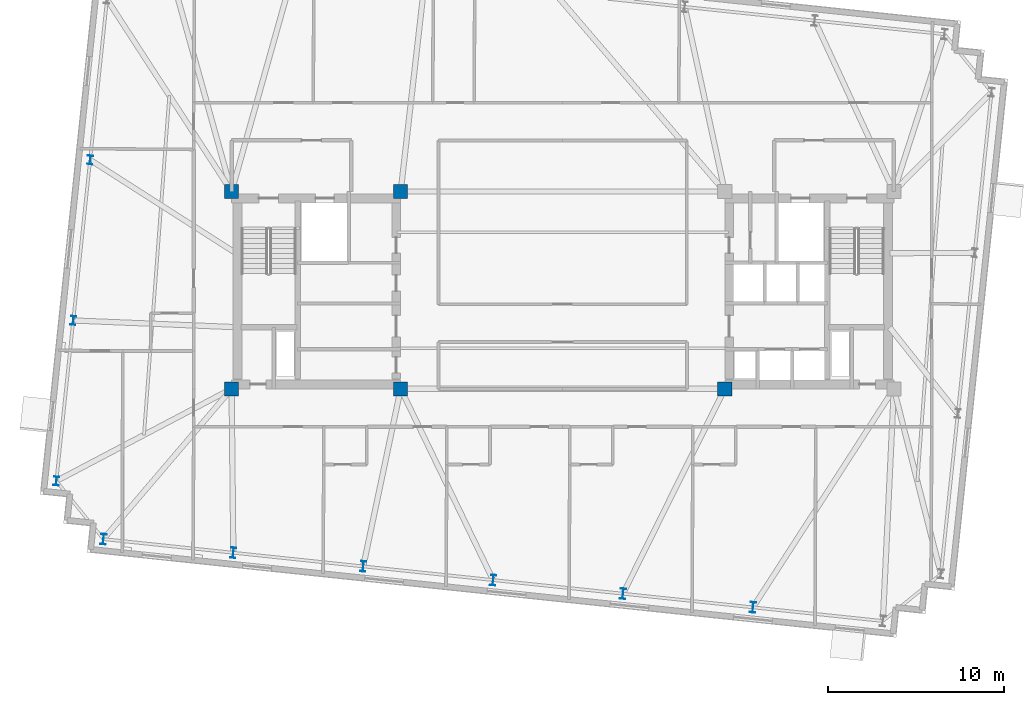
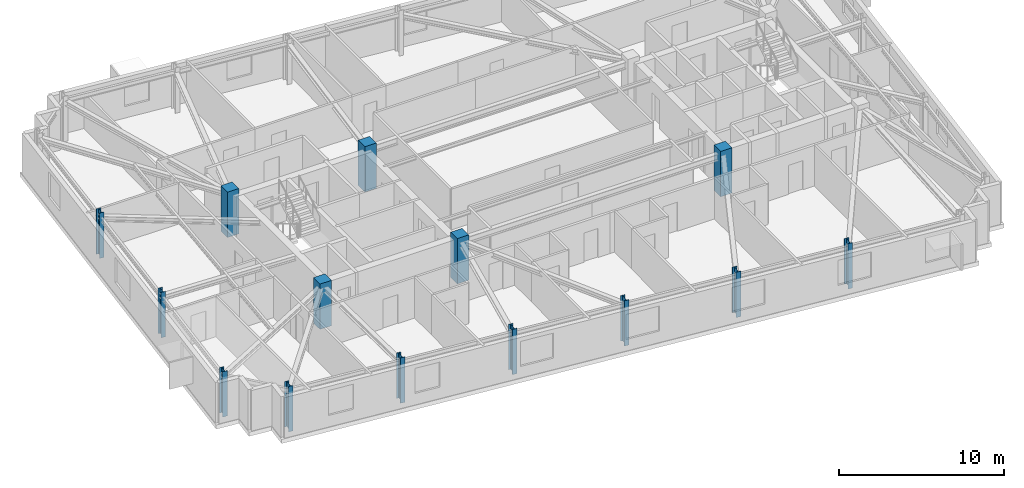
# One storey, part 1 of 11: 14 columns.
"""IFC4 building model written with IfcOpenShell, lengths in metres."""

import ifcopenshell
import ifcopenshell.guid

model = None  # the IFC model being written
_history = None  # IfcOwnerHistory: only IFC2X3 demands one
_inside = {}  # id of a spatial element -> (the spatial element, [elements in it])
_under = {}  # id of a project, library or spatial element -> (it, [spatial elements below it])
_declared = {}  # id of a project -> (the project, [libraries it declares])
_typed = {}  # id of a type object -> (the type object, [elements of that type])
_made_of = {}  # id of a material, layer set ... -> (it, [elements and type objects made of it])


def new_model(schema):
    """Start an empty IFC model of exactly this schema.

    Asked for "IFC4X3", IfcOpenShell would pick the latest addendum, in which some entities
    have other attributes; the version numbers below select the first issue.
    IFC2X3 requires an IfcOwnerHistory on every rooted entity: one is made here for all.
    """
    global model, _history
    if schema == "IFC4X3":
        model = ifcopenshell.file(schema_version=(4, 3, 0, 0))
    else:
        model = ifcopenshell.file(schema=schema)
    _inside.clear()
    _under.clear()
    _declared.clear()
    _typed.clear()
    _made_of.clear()
    _history = None
    if model.schema == "IFC2X3":
        org = make("IfcOrganization", Name="unknown")
        user = make(
            "IfcPersonAndOrganization",
            ThePerson=make("IfcPerson", FamilyName="unknown"),
            TheOrganization=org,
        )
        app = make(
            "IfcApplication",
            ApplicationDeveloper=org,
            Version="unknown",
            ApplicationFullName="unknown",
            ApplicationIdentifier="unknown",
        )
        _history = make(
            "IfcOwnerHistory",
            OwningUser=user,
            OwningApplication=app,
            ChangeAction="ADDED",
            CreationDate=0,
        )
    return model


def make(cls, **values):
    """One entity of the class cls with the attributes given. An attribute that is None is left unset."""
    return model.create_entity(
        cls, **{name: value for name, value in values.items() if value is not None}
    )


def rooted(cls, **values):
    """An entity with a GlobalId (a new one), such as an element, a storey or a relation."""
    return make(cls, GlobalId=ifcopenshell.guid.new(), OwnerHistory=_history, **values)


def si_unit(unit_type, name, prefix=None):
    """IfcSIUnit, for example si_unit("LENGTHUNIT", "METRE", prefix="MILLI")."""
    return make("IfcSIUnit", UnitType=unit_type, Prefix=prefix, Name=name)


def assignment(units):
    """IfcUnitAssignment: the units of a project."""
    return None if units is None else make("IfcUnitAssignment", Units=units)


def point(xyz):
    """IfcCartesianPoint."""
    return None if xyz is None else make("IfcCartesianPoint", Coordinates=xyz)


def direction(xyz):
    """IfcDirection."""
    return None if xyz is None else make("IfcDirection", DirectionRatios=xyz)


def frame(location, z_axis=None, x_axis=None):
    """IfcAxis2Placement3D, a coordinate frame: its origin and axes. An axis left out is left unset."""
    return make(
        "IfcAxis2Placement3D",
        Location=point(location),
        Axis=direction(z_axis),
        RefDirection=direction(x_axis),
    )


def frame_2d(location, x_axis=None):
    """IfcAxis2Placement2D, a coordinate frame in the plane: its origin and x axis."""
    return make(
        "IfcAxis2Placement2D", Location=point(location), RefDirection=direction(x_axis)
    )


def origin():
    """The frame at (0, 0, 0) with its axes left unset."""
    return frame((0.0, 0.0, 0.0))


def origin_2d():
    """The frame at (0, 0) in the plane with its x axis left unset."""
    return frame_2d((0.0, 0.0))


def place(relative_to, where):
    """IfcLocalPlacement: puts the frame where relative to a parent placement (None: the world)."""
    return make(
        "IfcLocalPlacement", PlacementRelTo=relative_to, RelativePlacement=where
    )


def context(
    kind, dimensions, precision=None, world=None, true_north=None, identifier=None
):
    """IfcGeometricRepresentationContext, for example the 3D "Model" context."""
    return make(
        "IfcGeometricRepresentationContext",
        ContextIdentifier=identifier,
        ContextType=kind,
        CoordinateSpaceDimension=dimensions,
        Precision=precision,
        WorldCoordinateSystem=world,
        TrueNorth=true_north,
    )


def subcontext(parent, identifier, kind, view, scale=None):
    """IfcGeometricRepresentationSubContext, for example "Body" below "Model"."""
    return make(
        "IfcGeometricRepresentationSubContext",
        ContextIdentifier=identifier,
        ContextType=kind,
        ParentContext=parent,
        TargetScale=scale,
        TargetView=view,
    )


def project(units=None, contexts=None):
    """IfcProject with its units and contexts."""
    return rooted(
        "IfcProject",
        Name="project",
        RepresentationContexts=contexts,
        UnitsInContext=assignment(units),
    )


def spatial(cls, under=None, at=None, **own):
    """A site, building, storey or space (cls), placed at a placement, below another one or the project."""
    s = rooted(cls, ObjectPlacement=at, **own)
    if under is not None:
        _under.setdefault(under.id(), (under, []))[1].append(s)
    return s


def profile(cls, at=None, kind="AREA", **sizes):
    """A parametric profile (cls). Its sizes go by their IFC names, for example OverallWidth=200.0."""
    return make(cls, ProfileType=kind, Position=at, **sizes)


def rectangle(**sizes):
    """IfcRectangleProfileDef."""
    return profile("IfcRectangleProfileDef", **sizes)


def i_section(**sizes):
    """IfcIShapeProfileDef."""
    return profile("IfcIShapeProfileDef", **sizes)


def extrude(swept, where, along, depth):
    """IfcExtrudedAreaSolid: the profile swept, set in the frame where, extruded along a direction by depth."""
    return make(
        "IfcExtrudedAreaSolid",
        SweptArea=swept,
        Position=where,
        ExtrudedDirection=direction(along),
        Depth=depth,
    )


def shape(context_of_items, identifier, shape_type, items):
    """IfcShapeRepresentation: the items that make up one representation, for example the "Body"."""
    return make(
        "IfcShapeRepresentation",
        ContextOfItems=context_of_items,
        RepresentationIdentifier=identifier,
        RepresentationType=shape_type,
        Items=items,
    )


def material(Name=None, Category=None):
    """IfcMaterial."""
    return make("IfcMaterial", Name=Name, Category=Category)


def material_profile(
    of_material, cross_section, Name=None, Category=None, Priority=None
):
    """IfcMaterialProfile: a cross section and its material."""
    return make(
        "IfcMaterialProfile",
        Name=Name,
        Material=of_material,
        Profile=cross_section,
        Priority=Priority,
        Category=Category,
    )


def profile_set(profiles, Name=None, composite=None):
    """IfcMaterialProfileSet."""
    return make(
        "IfcMaterialProfileSet",
        Name=Name,
        MaterialProfiles=profiles,
        CompositeProfile=composite,
    )


def made_of(thing, what):
    """Note that an element or type object is made of a material, layer set ...; save() writes the relation."""
    if what is not None:
        _made_of.setdefault(what.id(), (what, []))[1].append(thing)
    return thing


def type_object(cls, material=None, **own):
    """A type object (cls), such as IfcWallType, which elements share."""
    return made_of(rooted(cls, **own), material)


def element(
    cls,
    number,
    at=None,
    inside=None,
    cuts=None,
    type_object=None,
    material=None,
    context=None,
    identifier="Body",
    shape_type=None,
    held_by="IfcProductDefinitionShape",
    body=None,
    shapes=None,
    **own,
):
    """One element of the class cls, such as IfcWall. Its Tag is "e" and its number.

    at: its placement. inside: the storey or other place that contains it. cuts: it is an
    opening in that element (IfcRelVoidsElement). A single representation is given by context,
    identifier, shape_type and body (its items); several are given by shapes. held_by: the class
    of the entity that holds the representations. save() writes the other relations.
    """
    e = rooted(cls, Tag="e%d" % number, ObjectPlacement=at, **own)
    if body is not None:
        shapes = [shape(context, identifier, shape_type, body)]
    if shapes is not None:
        e.Representation = make(held_by, Representations=shapes)
    if inside is not None:
        _inside.setdefault(inside.id(), (inside, []))[1].append(e)
    if cuts is not None:
        rooted(
            "IfcRelVoidsElement", RelatingBuildingElement=cuts, RelatedOpeningElement=e
        )
    if type_object is not None:
        _typed.setdefault(type_object.id(), (type_object, []))[1].append(e)
    return made_of(e, material)


def aggregate(whole, parts):
    """IfcRelAggregates: a whole, such as a stair, and the parts it consists of."""
    return rooted("IfcRelAggregates", RelatingObject=whole, RelatedObjects=parts)


def save(model, path):
    """Write the relations noted so far, then the file.

    IfcRelAggregates (storeys below a building ...), IfcRelContainedInSpatialStructure (elements
    in a storey), IfcRelDefinesByType, IfcRelAssociatesMaterial and IfcRelDeclares: one each for
    every whole, place, type object, material and project.
    """
    for whole, parts in _under.values():
        aggregate(whole, parts)
    for where, things in _inside.values():
        rooted(
            "IfcRelContainedInSpatialStructure",
            RelatedElements=things,
            RelatingStructure=where,
        )
    for kind, things in _typed.values():
        rooted("IfcRelDefinesByType", RelatedObjects=things, RelatingType=kind)
    for what, things in _made_of.values():
        rooted("IfcRelAssociatesMaterial", RelatedObjects=things, RelatingMaterial=what)
    for by, libraries in _declared.values():
        rooted("IfcRelDeclares", RelatingContext=by, RelatedDefinitions=libraries)
    model.write(path)


model = new_model("IFC4")

# Units and contexts
model_context = context("Model", 3, precision=1e-05, world=origin(), true_north=direction((0.0, 1.0)))
body_context = subcontext(model_context, "Body", "Model", "MODEL_VIEW")
ifc_project = project(units=[si_unit("LENGTHUNIT", "METRE"), si_unit("AREAUNIT", "SQUARE_METRE"), si_unit("VOLUMEUNIT", "CUBIC_METRE"), si_unit("PLANEANGLEUNIT", "RADIAN"), si_unit("MASSUNIT", "GRAM", prefix="KILO")], contexts=[model_context])

# Site, building, storey
site_placement = place(None, origin())
site = spatial("IfcSite", under=ifc_project, at=site_placement, CompositionType="ELEMENT")
building_placement = place(site_placement, origin())
building = spatial("IfcBuilding", under=site, at=building_placement, Name="Qobustan Lattice House", CompositionType="ELEMENT")
storey_placement = place(building_placement, frame((0.0, 0.0, 219.85009765625)))
storey = spatial("IfcBuildingStorey", under=building, at=storey_placement, Name="L62", CompositionType="ELEMENT", Elevation=219.85009765625)

# Columns
ifc_material_1 = material(Name="Concrete C50/60", Category="concrete")
ifc_material_profile_1 = material_profile(ifc_material_1, rectangle(XDim=0.800048828125, YDim=0.800048828125, at=origin_2d()), Name="RC800x800")
ifc_profile_set_1 = profile_set([ifc_material_profile_1], Name="Concrete C50/60")
column_type_1 = type_object("IfcColumnType", Name="COL-RC-800", PredefinedType="COLUMN", material=ifc_profile_set_1)
for number, where, z_axis, x_axis, name in (
    (1, (-18.800048828125, -5.60009765625, 0.0), (0.0, 0.0, 1.0), (1.0, 0.0, 0.0), "L62 core mega-column CW-SW"),
    (2, (-18.800048828125, 5.60009765625, 0.0), (0.0, 0.0, 1.0), (1.0, 0.0, 0.0), "L62 core mega-column CW-NW"),
    (3, (-9.199951171875, -5.60009765625, 0.0), (0.0, 0.0, 1.0), (1.0, 0.0, 0.0), "L62 core mega-column CW-SE"),
    (4, (-9.199951171875, 5.60009765625, 0.0), (0.0, 0.0, 1.0), (1.0, 0.0, 0.0), "L62 core mega-column CW-NE"),
    (5, (9.199951171875, -5.60009765625, 0.0), (0.0, 0.0, 1.0), (1.0, 0.0, 0.0), "L62 core mega-column CE-SW"),
):
    element("IfcColumn", number, at=place(storey_placement, frame(where, z_axis=z_axis, x_axis=x_axis)), inside=storey, type_object=column_type_1, Name=name, PredefinedType="COLUMN", context=body_context, shape_type="SweptSolid", body=[
        extrude(rectangle(XDim=0.800048828125, YDim=0.800048828125, at=origin_2d()), origin(), (0.0, 0.0, 1.0), 3.349853515625),
    ])
ifc_material_2 = material(Name="Steel S355", Category="steel")
ifc_material_profile_2 = material_profile(ifc_material_2, i_section(OverallWidth=0.300048828125, OverallDepth=0.5, WebThickness=0.014404296875, FlangeThickness=0.028076171875, FilletRadius=0.027099609375, at=origin_2d()), Name="HEB500")
ifc_profile_set_2 = profile_set([ifc_material_profile_2], Name="Steel S355")
column_type_2 = type_object("IfcColumnType", Name="COL-ST-HEB500", PredefinedType="COLUMN", material=ifc_profile_set_2)
for number, where, z_axis, x_axis, name in (
    (6, (-26.83251953125, 7.397705078125, 0.0), (0.0, 0.0, 1.0), (0.994521895368, -0.104528463268, 0.0), "L62 B4 perimeter column W2"),
    (7, (-27.790771484375, -1.718994140625, 0.0), (0.0, 0.0, 1.0), (0.994521895368, -0.104528463268, 0.0), "L62 B4 perimeter column W3"),
    (8, (-28.748779296875, -10.835205078125, 0.0), (0.0, 0.0, 1.0), (0.994521895368, -0.104528463268, 0.0), "L62 B4 perimeter column W4"),
):
    element("IfcColumn", number, at=place(storey_placement, frame(where, z_axis=z_axis, x_axis=x_axis)), inside=storey, type_object=column_type_2, Name=name, PredefinedType="COLUMN", context=body_context, shape_type="SweptSolid", body=[
        extrude(i_section(OverallWidth=0.300048828125, OverallDepth=0.5, WebThickness=0.014404296875, FlangeThickness=0.028076171875, FilletRadius=0.027099609375, at=origin_2d()), origin(), (0.0, 0.0, 1.0), 3.349853515625),
    ])
ifc_material_3 = material(Name="Steel S355", Category="steel")
ifc_material_profile_3 = material_profile(ifc_material_3, i_section(OverallWidth=0.300048828125, OverallDepth=0.60009765625, WebThickness=0.015380859375, FlangeThickness=0.030029296875, FilletRadius=0.027099609375, at=origin_2d()), Name="HEB600")
ifc_profile_set_3 = profile_set([ifc_material_profile_3], Name="Steel S355")
column_type_3 = type_object("IfcColumnType", Name="COL-ST-HEB600", PredefinedType="COLUMN", material=ifc_profile_set_3)
for number, where, z_axis, x_axis, name in (
    (9, (-26.0791015625, -14.132568359375, 0.0), (0.0, 0.0, 1.0), (0.994521895368, -0.104528463268, 0.0), "L62 B4 perimeter column S1"),
    (10, (-18.702880859375, -14.90771484375, 0.0), (0.0, 0.0, 1.0), (0.994521895368, -0.104528463268, 0.0), "L62 B4 perimeter column S2"),
    (11, (-11.326904296875, -15.68310546875, 0.0), (0.0, 0.0, 1.0), (0.994521895368, -0.104528463268, 0.0), "L62 B4 perimeter column S3"),
    (12, (-3.950927734375, -16.458251953125, 0.0), (0.0, 0.0, 1.0), (0.994521895368, -0.104528463268, 0.0), "L62 B4 perimeter column S4"),
    (13, (3.42529296875, -17.2333984375, 0.0), (0.0, 0.0, 1.0), (0.994521895368, -0.104528463268, 0.0), "L62 B4 perimeter column S5"),
    (14, (10.80126953125, -18.0087890625, 0.0), (0.0, 0.0, 1.0), (0.994521895368, -0.104528463268, 0.0), "L62 B4 perimeter column S6"),
):
    element("IfcColumn", number, at=place(storey_placement, frame(where, z_axis=z_axis, x_axis=x_axis)), inside=storey, type_object=column_type_3, Name=name, PredefinedType="COLUMN", context=body_context, shape_type="SweptSolid", body=[
        extrude(i_section(OverallWidth=0.300048828125, OverallDepth=0.60009765625, WebThickness=0.015380859375, FlangeThickness=0.030029296875, FilletRadius=0.027099609375, at=origin_2d()), origin(), (0.0, 0.0, 1.0), 3.349853515625),
    ])

save(model, "model.ifc")
